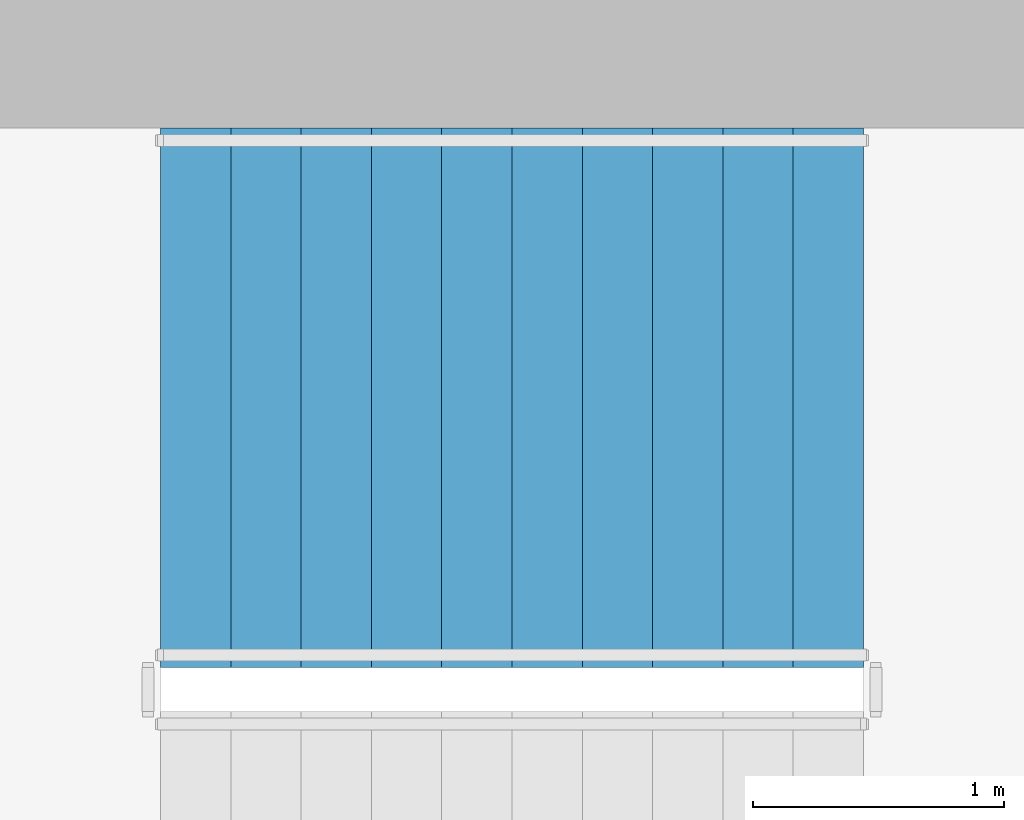
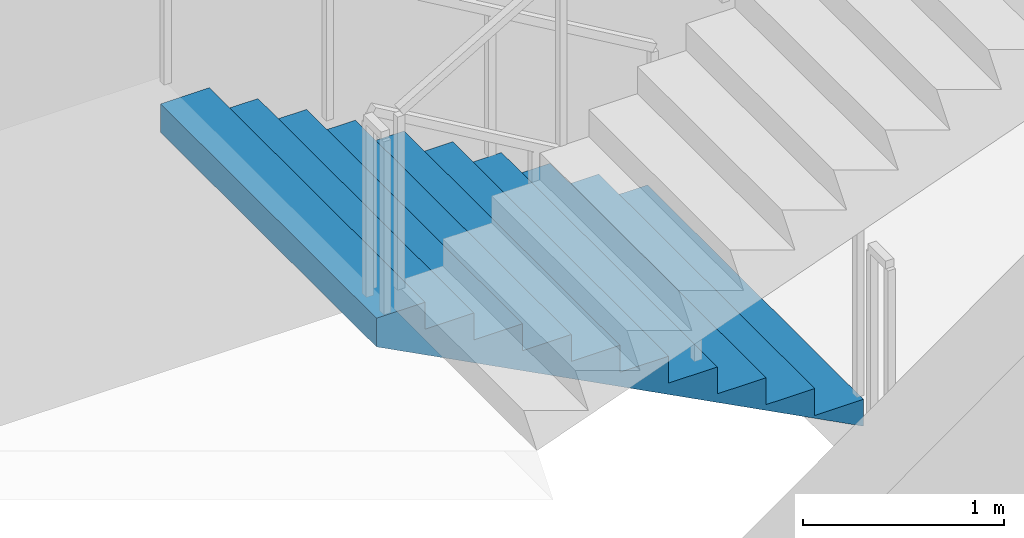
# One storey, part 12 of 20: 1 stair flight, 1 element without a shape of its own.
"""IFC4 building model written with IfcOpenShell, lengths in metres."""

from ifc_helpers import new_model, si_unit, direction, frame, origin, place, context, subcontext, project, spatial, triangles, material, type_object, element, aggregate, save


model = new_model("IFC4")

# Units and contexts
model_context = context("Model", 3, precision=1e-05, world=origin(), true_north=direction((0.0, 1.0)))
body_context = subcontext(model_context, "Body", "Model", "MODEL_VIEW")
ifc_project = project(units=[si_unit("LENGTHUNIT", "METRE"), si_unit("AREAUNIT", "SQUARE_METRE"), si_unit("VOLUMEUNIT", "CUBIC_METRE"), si_unit("PLANEANGLEUNIT", "RADIAN"), si_unit("MASSUNIT", "GRAM", prefix="KILO")], contexts=[model_context])

# Site, building, storey
site_placement = place(None, origin())
site = spatial("IfcSite", under=ifc_project, at=site_placement, CompositionType="ELEMENT")
building_placement = place(site_placement, origin())
building = spatial("IfcBuilding", under=site, at=building_placement, Name="Cypress Arch Tower", CompositionType="ELEMENT")
storey_placement = place(building_placement, frame((0.0, 0.0, 116.699951171875)))
storey = spatial("IfcBuildingStorey", under=building, at=storey_placement, Name="L24", CompositionType="ELEMENT", Elevation=116.699951171875)

# Stair, stair flight
ifc_material_1 = material(Name="Concrete C40/50", Category="concrete")
stair_type = type_object("IfcStairType", Name="Exit stair ES1636-215", PredefinedType="HALF_TURN_STAIR", material=ifc_material_1)
stair_placement = place(storey_placement, origin())
stair = element("IfcStair", 1, at=stair_placement, inside=storey, type_object=stair_type, Name="L24 Exit stair B", PredefinedType="HALF_TURN_STAIR")
ifc_material_2 = material(Name="Concrete C40/50", Category="concrete")
stair_flight_type = type_object("IfcStairFlightType", Name="Exit stair flight ES1636-215", PredefinedType="STRAIGHT", material=ifc_material_2)
stair_flight_placement = place(storey_placement, frame((-22.27490234375, 13.72509765625, 0.0), z_axis=(0.0, 0.0, 1.0), x_axis=(-1.0, 0.0, 0.0)))
stair_flight = element("IfcStairFlight", 2, at=stair_flight_placement, type_object=stair_flight_type, Name="B flight 1", NumberOfRisers=11, NumberOfTreads=10, PredefinedType="STRAIGHT", RiserHeight=0.163636364, TreadLength=0.28, context=body_context, shape_type="Tessellation", body=[
    triangles([(0.0, -1.074951171875, 0.0), (0.000244140625, -1.074951171875, 0.03271484375), (0.00048828125, -1.074951171875, 0.0654296875), (0.00048828125, -1.074951171875, 0.09814453125), (0.000244140625, -1.074951171875, 0.130859375), (0.0, -1.074951171875, 0.16357421875), (0.280029296875, -1.074951171875, 0.16357421875), (0.280029296875, -1.074951171875, 0.327392578125), (0.56005859375, -1.074951171875, 0.327392578125), (0.56005859375, -1.074951171875, 0.490966796875), (0.840087890625, -1.074951171875, 0.490966796875), (0.840087890625, -1.074951171875, 0.654541015625), (1.1201171875, -1.074951171875, 0.654541015625), (1.1201171875, -1.074951171875, 0.818115234375), (1.39990234375, -1.074951171875, 0.818115234375), (1.39990234375, -1.074951171875, 0.98193359375), (1.679931640625, -1.074951171875, 0.98193359375), (1.679931640625, -1.074951171875, 1.1455078125), (1.9599609375, -1.074951171875, 1.1455078125), (1.9599609375, -1.074951171875, 1.30908203125), (2.239990234375, -1.074951171875, 1.30908203125), (2.239990234375, -1.074951171875, 1.47265625), (2.52001953125, -1.074951171875, 1.47265625), (2.52001953125, -1.074951171875, 1.636474609375), (2.800048828125, -1.074951171875, 1.636474609375), (2.7998046875, -1.074951171875, 1.601806640625), (2.799560546875, -1.074951171875, 1.56689453125), (2.799560546875, -1.074951171875, 1.5322265625), (2.7998046875, -1.074951171875, 1.497314453125), (2.800048828125, -1.074951171875, 1.462646484375), (2.800048828125, 1.074951171875, 1.462646484375), (2.7998046875, 1.074951171875, 1.497314453125), (2.799560546875, 1.074951171875, 1.5322265625), (2.799560546875, 1.074951171875, 1.56689453125), (2.7998046875, 1.074951171875, 1.601806640625), (2.800048828125, 1.074951171875, 1.636474609375), (2.52001953125, 1.074951171875, 1.636474609375), (2.52001953125, 1.074951171875, 1.47265625), (2.239990234375, 1.074951171875, 1.47265625), (2.239990234375, 1.074951171875, 1.30908203125), (1.9599609375, 1.074951171875, 1.30908203125), (1.9599609375, 1.074951171875, 1.1455078125), (1.679931640625, 1.074951171875, 1.1455078125), (1.679931640625, 1.074951171875, 0.98193359375), (1.39990234375, 1.074951171875, 0.98193359375), (1.39990234375, 1.074951171875, 0.818115234375), (1.1201171875, 1.074951171875, 0.818115234375), (1.1201171875, 1.074951171875, 0.654541015625), (0.840087890625, 1.074951171875, 0.654541015625), (0.840087890625, 1.074951171875, 0.490966796875), (0.56005859375, 1.074951171875, 0.490966796875), (0.56005859375, 1.074951171875, 0.327392578125), (0.280029296875, 1.074951171875, 0.327392578125), (0.280029296875, 1.074951171875, 0.16357421875), (0.0, 1.074951171875, 0.16357421875), (0.000244140625, 1.074951171875, 0.130859375), (0.00048828125, 1.074951171875, 0.09814453125), (0.00048828125, 1.074951171875, 0.0654296875), (0.000244140625, 1.074951171875, 0.03271484375), (0.0, 1.074951171875, 0.0), (2.7998046875, 0.0, 1.497314453125), (2.800048828125, 0.0, 1.462646484375), (2.799560546875, 0.0, 1.5322265625), (2.799560546875, 0.0, 1.56689453125), (2.7998046875, 0.0, 1.601806640625), (2.800048828125, 0.0, 1.636474609375), (2.52001953125, 0.0, 1.636474609375), (2.52001953125, 0.0, 1.47265625), (2.239990234375, 0.0, 1.47265625), (2.239990234375, 0.0, 1.30908203125), (1.9599609375, 0.0, 1.30908203125), (1.9599609375, 0.0, 1.1455078125), (1.679931640625, 0.0, 1.1455078125), (1.679931640625, 0.0, 0.98193359375), (1.39990234375, 0.0, 0.98193359375), (1.39990234375, 0.0, 0.818115234375), (1.1201171875, 0.0, 0.818115234375), (1.1201171875, 0.0, 0.654541015625), (0.840087890625, 0.0, 0.654541015625), (0.840087890625, 0.0, 0.490966796875), (0.56005859375, 0.0, 0.490966796875), (0.56005859375, 0.0, 0.327392578125), (0.280029296875, 0.0, 0.327392578125), (0.280029296875, 0.0, 0.16357421875), (0.0, 0.0, 0.16357421875), (0.000244140625, 0.0, 0.130859375), (0.00048828125, 0.0, 0.09814453125), (0.00048828125, 0.0, 0.0654296875), (0.000244140625, 0.0, 0.03271484375), (0.0, 0.0, 0.0)], [[30, 29, 24], [29, 28, 24], [28, 27, 24], [27, 26, 24], [26, 25, 24], [17, 16, 15], [9, 8, 7], [15, 14, 13], [23, 22, 21], [21, 20, 19], [19, 18, 17], [13, 12, 11], [11, 10, 9], [6, 5, 7], [5, 4, 7], [4, 3, 7], [3, 2, 7], [2, 1, 7], [30, 24, 23], [30, 23, 21], [30, 21, 19], [30, 19, 17], [30, 17, 15], [30, 15, 13], [30, 13, 11], [30, 11, 9], [30, 9, 7], [30, 7, 1], [31, 37, 32], [32, 37, 33], [33, 37, 34], [34, 37, 35], [35, 37, 36], [44, 46, 45], [52, 54, 53], [46, 48, 47], [38, 40, 39], [40, 42, 41], [42, 44, 43], [48, 50, 49], [50, 52, 51], [55, 54, 56], [56, 54, 57], [57, 54, 58], [58, 54, 59], [59, 54, 60], [31, 38, 37], [31, 40, 38], [31, 42, 40], [31, 44, 42], [31, 46, 44], [31, 48, 46], [31, 50, 48], [31, 52, 50], [31, 54, 52], [31, 60, 54], [62, 61, 29], [62, 29, 30], [31, 32, 61], [31, 61, 62], [61, 63, 28], [61, 28, 29], [32, 33, 63], [32, 63, 61], [63, 64, 27], [63, 27, 28], [33, 34, 64], [33, 64, 63], [64, 65, 26], [64, 26, 27], [34, 35, 65], [34, 65, 64], [65, 66, 25], [65, 25, 26], [35, 36, 66], [35, 66, 65], [66, 67, 24], [66, 24, 25], [36, 37, 67], [36, 67, 66], [67, 68, 23], [67, 23, 24], [37, 38, 68], [37, 68, 67], [68, 69, 22], [68, 22, 23], [38, 39, 69], [38, 69, 68], [69, 70, 21], [69, 21, 22], [39, 40, 70], [39, 70, 69], [70, 71, 20], [70, 20, 21], [40, 41, 71], [40, 71, 70], [71, 72, 19], [71, 19, 20], [41, 42, 72], [41, 72, 71], [72, 73, 18], [72, 18, 19], [42, 43, 73], [42, 73, 72], [73, 74, 17], [73, 17, 18], [43, 44, 74], [43, 74, 73], [74, 75, 16], [74, 16, 17], [44, 45, 75], [44, 75, 74], [75, 76, 15], [75, 15, 16], [45, 46, 76], [45, 76, 75], [76, 77, 14], [76, 14, 15], [46, 47, 77], [46, 77, 76], [77, 78, 13], [77, 13, 14], [47, 48, 78], [47, 78, 77], [78, 79, 12], [78, 12, 13], [48, 49, 79], [48, 79, 78], [79, 80, 11], [79, 11, 12], [49, 50, 80], [49, 80, 79], [80, 81, 10], [80, 10, 11], [50, 51, 81], [50, 81, 80], [81, 82, 9], [81, 9, 10], [51, 52, 82], [51, 82, 81], [82, 83, 8], [82, 8, 9], [52, 53, 83], [52, 83, 82], [83, 84, 7], [83, 7, 8], [53, 54, 84], [53, 84, 83], [84, 85, 6], [84, 6, 7], [54, 55, 85], [54, 85, 84], [85, 86, 5], [85, 5, 6], [55, 56, 86], [55, 86, 85], [86, 87, 4], [86, 4, 5], [56, 57, 87], [56, 87, 86], [87, 88, 3], [87, 3, 4], [57, 58, 88], [57, 88, 87], [88, 89, 2], [88, 2, 3], [58, 59, 89], [58, 89, 88], [89, 90, 1], [89, 1, 2], [59, 60, 90], [59, 90, 89], [90, 62, 30], [90, 30, 1], [60, 31, 62], [60, 62, 90]], closed=True),
])
aggregate(stair, [stair_flight])

save(model, "model.ifc")
